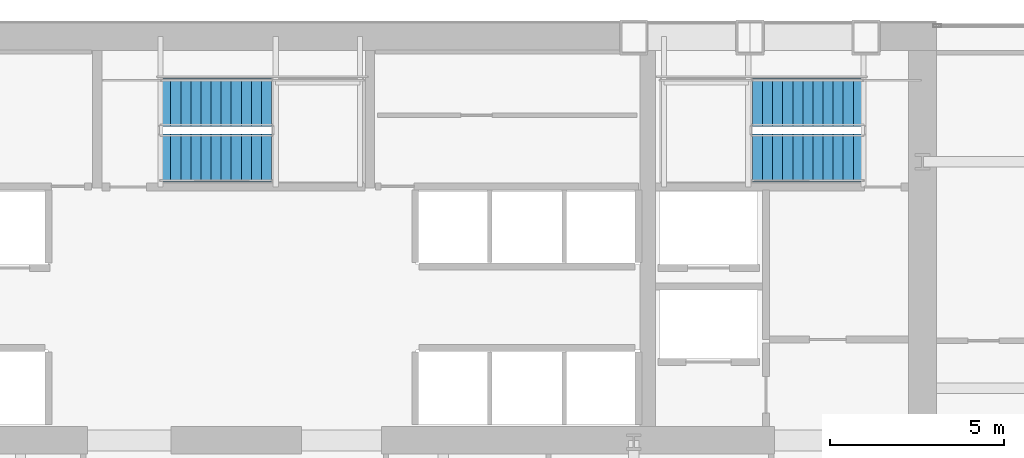
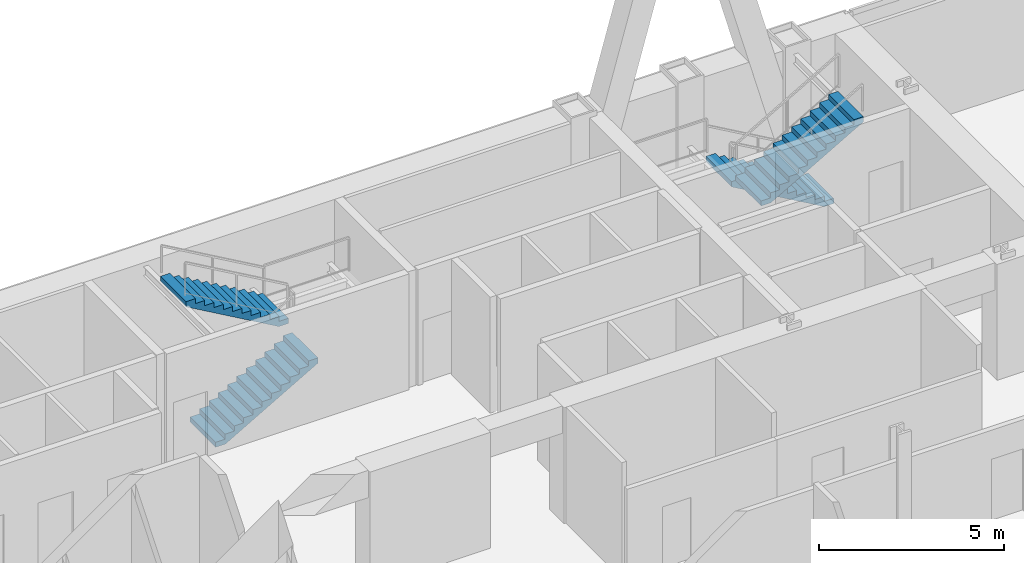
# One storey, part 32 of 35: 4 stair flights, 2 elements without a shape of their own.
"""IFC4 building model written with IfcOpenShell, lengths in metres."""

from ifc_helpers import new_model, si_unit, direction, frame, origin, place, context, subcontext, project, spatial, polyline, outline, extrude, material, type_object, element, aggregate, save


model = new_model("IFC4")

# Units and contexts
model_context = context("Model", 3, precision=1e-05, world=origin(), true_north=direction((0.0, 1.0)))
body_context = subcontext(model_context, "Body", "Model", "MODEL_VIEW")
ifc_project = project(units=[si_unit("LENGTHUNIT", "METRE"), si_unit("AREAUNIT", "SQUARE_METRE"), si_unit("VOLUMEUNIT", "CUBIC_METRE"), si_unit("PLANEANGLEUNIT", "RADIAN"), si_unit("MASSUNIT", "GRAM", prefix="KILO")], contexts=[model_context])

# Site, building, storey
site_placement = place(None, origin())
site = spatial("IfcSite", under=ifc_project, at=site_placement, CompositionType="ELEMENT")
building_placement = place(site_placement, origin())
building = spatial("IfcBuilding", under=site, at=building_placement, Name="Khoronbel Lancet Exchange", CompositionType="ELEMENT")
storey_placement = place(building_placement, frame((0.0, 0.0, 37.800048828125)))
storey = spatial("IfcBuildingStorey", under=building, at=storey_placement, Name="L08", CompositionType="ELEMENT", Elevation=37.800048828125)

# Stair, stair flights
ifc_material = material(Name="Concrete C40/50", Category="concrete")
stair_type = type_object("IfcStairType", Name="STR-CORE150", PredefinedType="HALF_TURN_STAIR", material=ifc_material)
stair_1_placement = place(storey_placement, origin())
stair_1 = element("IfcStair", 1, at=stair_1_placement, inside=storey, type_object=stair_type, Name="L08 Protected Exit Stair ST2", PredefinedType="HALF_TURN_STAIR")
stair_flight_type = type_object("IfcStairFlightType", Name="STF-150", PredefinedType="STRAIGHT", material=ifc_material)
stair_flight_1_placement = place(storey_placement, frame((54.60009765625, 51.409912109375, 0.0), z_axis=(0.0, 0.0, 1.0), x_axis=(-1.0, 0.0, 0.0)))
stair_flight_1 = element("IfcStairFlight", 2, at=stair_flight_1_placement, type_object=stair_flight_type, Name="ST2 flight 1", NumberOfRisers=12, NumberOfTreads=11, PredefinedType="STRAIGHT", RiserHeight=0.166666667, TreadLength=0.29, context=body_context, shape_type="SweptSolid", body=[
    extrude(outline(polyline([(0.0, 0.0), (0.0, 0.166748046875), (0.2900390625, 0.166748046875), (0.2900390625, 0.333251953125), (0.580078125, 0.333251953125), (0.580078125, 0.5), (0.8701171875, 0.5), (0.8701171875, 0.666748046875), (1.159912109375, 0.666748046875), (1.159912109375, 0.833251953125), (1.449951171875, 0.833251953125), (1.449951171875, 1.0), (1.739990234375, 1.0), (1.739990234375, 1.166748046875), (2.030029296875, 1.166748046875), (2.030029296875, 1.333251953125), (2.320068359375, 1.333251953125), (2.320068359375, 1.5), (2.610107421875, 1.5), (2.610107421875, 1.666748046875), (2.89990234375, 1.666748046875), (2.89990234375, 1.833251953125), (3.18994140625, 1.833251953125), (3.18994140625, 2.0), (3.18994140625, 1.660400390625), (0.30078125, 0.0), (0.0, 0.0)])), frame((0.0, 0.68994140625, 0.0), z_axis=(0.0, -1.0, 0.0), x_axis=(1.0, 0.0, 0.0)), (0.0, 0.0, 1.0), 1.3798828125),
])
stair_flight_2_placement = place(storey_placement, frame((51.409912109375, 49.81005859375, 2.0), z_axis=(0.0, 0.0, 1.0), x_axis=(1.0, 0.0, 0.0)))
stair_flight_2 = element("IfcStairFlight", 3, at=stair_flight_2_placement, type_object=stair_flight_type, Name="ST2 flight 2", NumberOfRisers=12, NumberOfTreads=11, PredefinedType="STRAIGHT", RiserHeight=0.166666667, TreadLength=0.29, context=body_context, shape_type="SweptSolid", body=[
    extrude(outline(polyline([(0.0, 0.0), (0.0, 0.166748046875), (0.2900390625, 0.166748046875), (0.2900390625, 0.333251953125), (0.580078125, 0.333251953125), (0.580078125, 0.5), (0.8701171875, 0.5), (0.8701171875, 0.666748046875), (1.159912109375, 0.666748046875), (1.159912109375, 0.833251953125), (1.449951171875, 0.833251953125), (1.449951171875, 1.0), (1.739990234375, 1.0), (1.739990234375, 1.166748046875), (2.030029296875, 1.166748046875), (2.030029296875, 1.333251953125), (2.320068359375, 1.333251953125), (2.320068359375, 1.5), (2.610107421875, 1.5), (2.610107421875, 1.666748046875), (2.89990234375, 1.666748046875), (2.89990234375, 1.833251953125), (3.18994140625, 1.833251953125), (3.18994140625, 2.0), (3.18994140625, 1.660400390625), (0.30078125, 0.0), (0.0, 0.0)])), frame((0.0, 0.68994140625, 0.0), z_axis=(0.0, -1.0, 0.0), x_axis=(1.0, 0.0, 0.0)), (0.0, 0.0, 1.0), 1.3798828125),
])
aggregate(stair_1, [stair_flight_1, stair_flight_2])

stair_2_placement = place(storey_placement, origin())
stair_2 = element("IfcStair", 4, at=stair_2_placement, inside=storey, type_object=stair_type, Name="L08 Protected Exit Stair ST3", PredefinedType="HALF_TURN_STAIR")
stair_flight_3_placement = place(storey_placement, frame((34.39990234375, 49.81005859375, 0.0), z_axis=(0.0, 0.0, 1.0), x_axis=(1.0, 0.0, 0.0)))
stair_flight_3 = element("IfcStairFlight", 5, at=stair_flight_3_placement, type_object=stair_flight_type, Name="ST3 flight 1", NumberOfRisers=12, NumberOfTreads=11, PredefinedType="STRAIGHT", RiserHeight=0.166666667, TreadLength=0.29, context=body_context, shape_type="SweptSolid", body=[
    extrude(outline(polyline([(0.0, 0.0), (0.0, 0.166748046875), (0.2900390625, 0.166748046875), (0.2900390625, 0.333251953125), (0.580078125, 0.333251953125), (0.580078125, 0.5), (0.8701171875, 0.5), (0.8701171875, 0.666748046875), (1.159912109375, 0.666748046875), (1.159912109375, 0.833251953125), (1.449951171875, 0.833251953125), (1.449951171875, 1.0), (1.739990234375, 1.0), (1.739990234375, 1.166748046875), (2.030029296875, 1.166748046875), (2.030029296875, 1.333251953125), (2.320068359375, 1.333251953125), (2.320068359375, 1.5), (2.610107421875, 1.5), (2.610107421875, 1.666748046875), (2.89990234375, 1.666748046875), (2.89990234375, 1.833251953125), (3.18994140625, 1.833251953125), (3.18994140625, 2.0), (3.18994140625, 1.660400390625), (0.30078125, 0.0), (0.0, 0.0)])), frame((0.0, 0.68994140625, 0.0), z_axis=(0.0, -1.0, 0.0), x_axis=(1.0, 0.0, 0.0)), (0.0, 0.0, 1.0), 1.3798828125),
])
stair_flight_4_placement = place(storey_placement, frame((37.590087890625, 51.409912109375, 2.0), z_axis=(0.0, 0.0, 1.0), x_axis=(-1.0, 0.0, 0.0)))
stair_flight_4 = element("IfcStairFlight", 6, at=stair_flight_4_placement, type_object=stair_flight_type, Name="ST3 flight 2", NumberOfRisers=12, NumberOfTreads=11, PredefinedType="STRAIGHT", RiserHeight=0.166666667, TreadLength=0.29, context=body_context, shape_type="SweptSolid", body=[
    extrude(outline(polyline([(0.0, 0.0), (0.0, 0.166748046875), (0.2900390625, 0.166748046875), (0.2900390625, 0.333251953125), (0.580078125, 0.333251953125), (0.580078125, 0.5), (0.8701171875, 0.5), (0.8701171875, 0.666748046875), (1.159912109375, 0.666748046875), (1.159912109375, 0.833251953125), (1.449951171875, 0.833251953125), (1.449951171875, 1.0), (1.739990234375, 1.0), (1.739990234375, 1.166748046875), (2.030029296875, 1.166748046875), (2.030029296875, 1.333251953125), (2.320068359375, 1.333251953125), (2.320068359375, 1.5), (2.610107421875, 1.5), (2.610107421875, 1.666748046875), (2.89990234375, 1.666748046875), (2.89990234375, 1.833251953125), (3.18994140625, 1.833251953125), (3.18994140625, 2.0), (3.18994140625, 1.660400390625), (0.30078125, 0.0), (0.0, 0.0)])), frame((0.0, 0.68994140625, 0.0), z_axis=(0.0, -1.0, 0.0), x_axis=(1.0, 0.0, 0.0)), (0.0, 0.0, 1.0), 1.3798828125),
])
aggregate(stair_2, [stair_flight_3, stair_flight_4])

save(model, "model.ifc")
